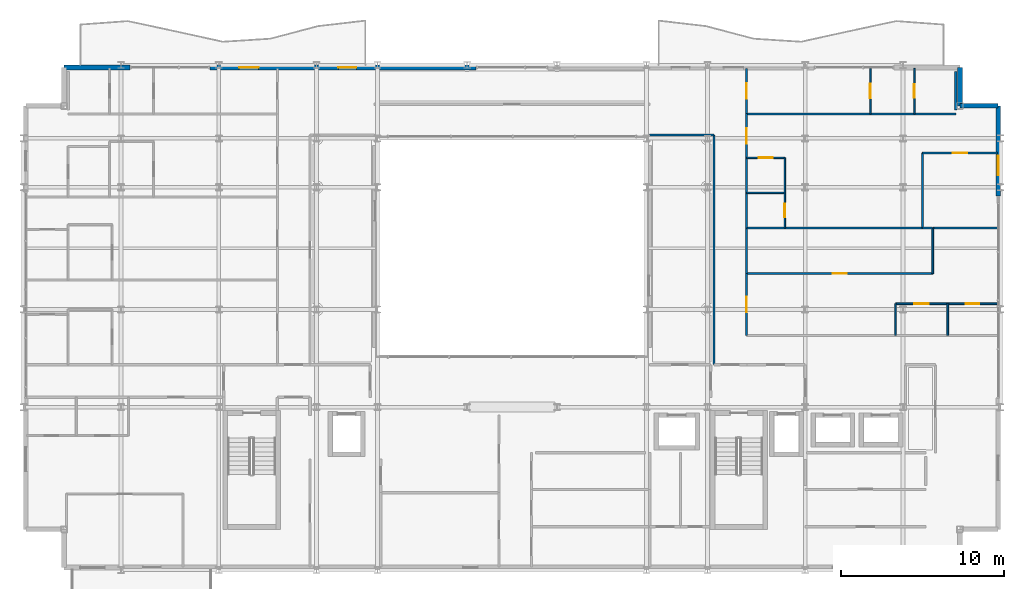
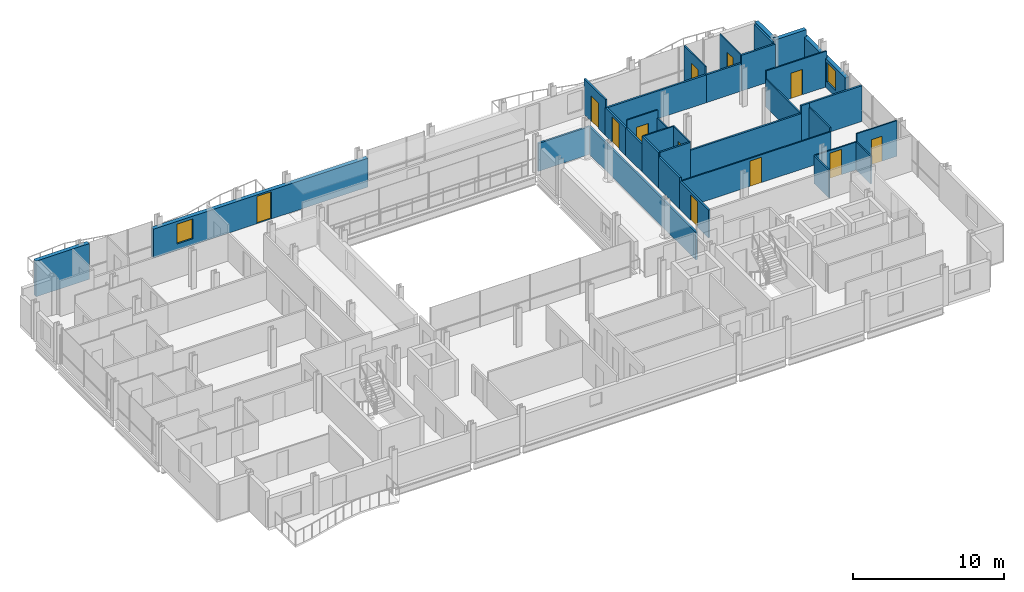
# One storey, part 37 of 41: 35 walls, 12 doors, 2 windows, 14 openings.
"""IFC4 building model written with IfcOpenShell, lengths in metres."""

from ifc_helpers import new_model, si_unit, direction, frame, frame_2d, origin, place, context, subcontext, project, spatial, rectangle, extrude, material, layer, layer_set, type_object, element, fill, save


model = new_model("IFC4")

# Units and contexts
model_context = context("Model", 3, precision=1e-05, world=origin(), true_north=direction((0.0, 1.0)))
body_context = subcontext(model_context, "Body", "Model", "MODEL_VIEW")
ifc_project = project(units=[si_unit("LENGTHUNIT", "METRE"), si_unit("AREAUNIT", "SQUARE_METRE"), si_unit("VOLUMEUNIT", "CUBIC_METRE"), si_unit("PLANEANGLEUNIT", "RADIAN"), si_unit("MASSUNIT", "GRAM", prefix="KILO")], contexts=[model_context])

# Site, building, storey
site_placement = place(None, origin())
site = spatial("IfcSite", under=ifc_project, at=site_placement, CompositionType="ELEMENT")
building_placement = place(site_placement, origin())
building = spatial("IfcBuilding", under=site, at=building_placement, Name="Brevholm Reach", CompositionType="ELEMENT")
storey_placement = place(building_placement, frame((0.0, 0.0, 151.10009765625)))
storey = spatial("IfcBuildingStorey", under=building, at=storey_placement, Name="L45", CompositionType="ELEMENT", Elevation=151.10009765625)

# Walls
ifc_material_1 = material(Name="Concrete C40/50", Category="concrete")
ifc_layer_1 = layer(ifc_material_1, 0.300048828125)
ifc_layer_set_1 = layer_set([ifc_layer_1], Name="Concrete C40/50")
wall_type_1 = type_object("IfcWallType", Name="WAL-EXT-300", PredefinedType="STANDARD", material=ifc_layer_set_1)
for number, where, z_axis, x_axis, name in (
    (1, (59.85009765625, 28.5, 0.0), (0.0, 0.0, 1.0), (-1.0, 0.0, 0.0), "L45 Facade Wall WAL-L45-CNE1"),
    (2, (57.5, 28.5, 0.0), (0.0, 0.0, 1.0), (0.0, 1.0, 0.0), "L45 Facade Wall WAL-L45-CNE2"),
):
    element("IfcWall", number, at=place(storey_placement, frame(where, z_axis=z_axis, x_axis=x_axis)), inside=storey, type_object=wall_type_1, Name=name, PredefinedType="STANDARD", context=body_context, shape_type="SweptSolid", body=[
        extrude(rectangle(XDim=2.35009765625, YDim=0.300048828125, at=frame_2d((1.175048828125, 0.0))), origin(), (0.0, 0.0, 1.0), 2.8798828125),
    ])

# Wall, opening, window
wall_1_placement = place(storey_placement, frame((59.85009765625, 22.949951171875, 0.0), z_axis=(0.0, 0.0, 1.0), x_axis=(0.0, 1.0, 0.0)))
wall_1 = element("IfcWall", 3, at=wall_1_placement, inside=storey, type_object=wall_type_1, Name="L45 Facade Wall WAL-L45-E-N", PredefinedType="STANDARD", context=body_context, shape_type="SweptSolid", body=[
    extrude(rectangle(XDim=5.550048828125, YDim=0.300048828125, at=frame_2d((2.77490234375, 0.0))), origin(), (0.0, 0.0, 1.0), 2.32177734375),
])
opening_1_placement = place(wall_1_placement, frame((1.27001953125, 0.0, 0.501953125)))
opening_1 = element("IfcOpeningElement", 4, at=opening_1_placement, cuts=wall_1, Name="Opening WN-08", PredefinedType="OPENING", context=body_context, shape_type="SweptSolid", body=[
    extrude(rectangle(XDim=1.199951171875, YDim=1.60009765625, at=frame_2d((0.60009765625, 0.800048828125))), frame((0.0, 0.159912109375, 0.0), z_axis=(0.0, -1.0, 0.0), x_axis=(1.0, 0.0, 0.0)), (0.0, 0.0, 1.0), 0.320068359375),
])
ifc_material_2 = material(Name="Dark Anodised Aluminium and Solar-Control IGU Glass", Category="aluminium")
window_type = type_object("IfcWindowType", Name="WIN-RES-1200", PartitioningType="SINGLE_PANEL", PredefinedType="WINDOW", material=ifc_material_2)
window_1_placement = place(opening_1_placement, origin())
window_1 = element("IfcWindow", 5, at=window_1_placement, inside=storey, type_object=window_type, Name="L45 Window WIN-L45-EN-1", OverallHeight=1.60009765625, OverallWidth=1.199951171875, PartitioningType="SINGLE_PANEL", PredefinedType="WINDOW", context=body_context, shape_type="SweptSolid", body=[
    extrude(rectangle(XDim=1.199951171875, YDim=1.60009765625, at=frame_2d((0.60009765625, 0.800048828125))), frame((0.0, 0.030029296875, 0.0), z_axis=(0.0, -1.0, 0.0), x_axis=(1.0, 0.0, 0.0)), (0.0, 0.0, 1.0), 0.06005859375),
])
fill(opening_1, window_1)

# Wall
wall_2_placement = place(storey_placement, frame((2.5, 30.85009765625, 0.0), z_axis=(0.0, 0.0, 1.0), x_axis=(1.0, 0.0, 0.0)))
element("IfcWall", 6, at=wall_2_placement, inside=storey, type_object=wall_type_1, Name="L45 Facade Wall WAL-L45-NP-W0", PredefinedType="STANDARD", context=body_context, shape_type="SweptSolid", body=[
    extrude(rectangle(XDim=4.050048828125, YDim=0.300048828125, at=frame_2d((2.02490234375, 0.0))), origin(), (0.0, 0.0, 1.0), 2.8798828125),
])

# Wall, openings, door, window
wall_3_placement = place(storey_placement, frame((11.449951171875, 30.85009765625, 0.0), z_axis=(0.0, 0.0, 1.0), x_axis=(1.0, 0.0, 0.0)))
wall_3 = element("IfcWall", 7, at=wall_3_placement, inside=storey, type_object=wall_type_1, Name="L45 Facade Wall WAL-L45-NP-WL", PredefinedType="STANDARD", context=body_context, shape_type="SweptSolid", body=[
    extrude(rectangle(XDim=16.35009765625, YDim=0.300048828125, at=frame_2d((8.175048828125, 0.0))), origin(), (0.0, 0.0, 1.0), 2.32177734375),
])
opening_2_placement = place(wall_3_placement, frame((7.89794921875, 0.0, 0.0)))
opening_2 = element("IfcOpeningElement", 8, at=opening_2_placement, cuts=wall_3, Name="Opening BD-01", PredefinedType="OPENING", context=body_context, shape_type="SweptSolid", body=[
    extrude(rectangle(XDim=1.10009765625, YDim=2.199951171875, at=frame_2d((0.550048828125, 1.10009765625))), frame((0.0, 0.159912109375, 0.0), z_axis=(0.0, -1.0, 0.0), x_axis=(1.0, 0.0, 0.0)), (0.0, 0.0, 1.0), 0.320068359375),
])
opening_3_placement = place(wall_3_placement, frame((1.800048828125, 0.0, 0.501953125)))
opening_3 = element("IfcOpeningElement", 9, at=opening_3_placement, cuts=wall_3, Name="Opening WN-08", PredefinedType="OPENING", context=body_context, shape_type="SweptSolid", body=[
    extrude(rectangle(XDim=1.199951171875, YDim=1.60009765625, at=frame_2d((0.60009765625, 0.800048828125))), frame((0.0, 0.159912109375, 0.0), z_axis=(0.0, -1.0, 0.0), x_axis=(1.0, 0.0, 0.0)), (0.0, 0.0, 1.0), 0.320068359375),
])
ifc_material_3 = material(Name="Dark Anodised Aluminium and Triple-Glazed Glass", Category="aluminium")
door_type_1 = type_object("IfcDoorType", Name="DOR-BALC-1100", OperationType="NOTDEFINED", PredefinedType="DOOR", material=ifc_material_3)
door_1_placement = place(opening_2_placement, origin())
door_1 = element("IfcDoor", 10, at=door_1_placement, inside=storey, type_object=door_type_1, Name="L45 Exterior Door DOR-L45-BL-NW", OperationType="SINGLE_SWING_RIGHT", OverallHeight=2.199951171875, OverallWidth=1.10009765625, PredefinedType="DOOR", context=body_context, shape_type="SweptSolid", body=[
    extrude(rectangle(XDim=1.10009765625, YDim=2.199951171875, at=frame_2d((0.550048828125, 1.10009765625))), frame((0.0, 0.02490234375, 0.0), z_axis=(0.0, -1.0, 0.0), x_axis=(1.0, 0.0, 0.0)), (0.0, 0.0, 1.0), 0.050048828125),
])
fill(opening_2, door_1)
window_2_placement = place(opening_3_placement, origin())
window_2 = element("IfcWindow", 11, at=window_2_placement, inside=storey, type_object=window_type, Name="L45 Window WIN-L45-NP-WL1", OverallHeight=1.60009765625, OverallWidth=1.199951171875, PartitioningType="SINGLE_PANEL", PredefinedType="WINDOW", context=body_context, shape_type="SweptSolid", body=[
    extrude(rectangle(XDim=1.199951171875, YDim=1.60009765625, at=frame_2d((0.60009765625, 0.800048828125))), frame((0.0, 0.030029296875, 0.0), z_axis=(0.0, -1.0, 0.0), x_axis=(1.0, 0.0, 0.0)), (0.0, 0.0, 1.0), 0.06005859375),
])
fill(opening_3, window_2)

# Wall
ifc_material_4 = material(Name="Moisture-Resistant Acoustic Gypsum Stud Partition 100 mm", Category="gypsum")
ifc_layer_2 = layer(ifc_material_4, 0.10009765625)
ifc_layer_set_2 = layer_set([ifc_layer_2], Name="Moisture-Resistant Acoustic Gypsum Stud Partition 100 mm")
wall_type_2 = type_object("IfcWallType", Name="WAL-PRT-100", PredefinedType="PARTITIONING", material=ifc_layer_set_2)
wall_4_placement = place(storey_placement, frame((56.75, 14.404052734375, 0.0), z_axis=(0.0, 0.0, 1.0), x_axis=(0.0, 1.0, 0.0)))
element("IfcWall", 12, at=wall_4_placement, inside=storey, type_object=wall_type_2, Name="L45 Internal Partition 095", PredefinedType="PARTITIONING", context=body_context, shape_type="SweptSolid", body=[
    extrude(rectangle(XDim=1.946044921875, YDim=0.10009765625, at=frame_2d((0.97314453125, 0.0))), origin(), (0.0, 0.0, 1.0), 2.24267578125),
])

# Wall, opening, door
wall_5_placement = place(storey_placement, frame((56.75, 16.35009765625, 0.0), z_axis=(0.0, 0.0, 1.0), x_axis=(1.0, 0.0, 0.0)))
wall_5 = element("IfcWall", 13, at=wall_5_placement, inside=storey, type_object=wall_type_2, Name="L45 Internal Partition 096", PredefinedType="PARTITIONING", context=body_context, shape_type="SweptSolid", body=[
    extrude(rectangle(XDim=3.050048828125, YDim=0.10009765625, at=frame_2d((1.52490234375, 0.0))), origin(), (0.0, 0.0, 1.0), 2.8798828125),
])
opening_4_placement = place(wall_5_placement, frame((1.114990234375, 0.0, 0.0)))
opening_4 = element("IfcOpeningElement", 14, at=opening_4_placement, cuts=wall_5, Name="Opening ID-03", PredefinedType="OPENING", context=body_context, shape_type="SweptSolid", body=[
    extrude(rectangle(XDim=0.820068359375, YDim=2.02001953125, at=frame_2d((0.41015625, 1.010009765625))), frame((0.0, 0.06005859375, 0.0), z_axis=(0.0, -1.0, 0.0), x_axis=(1.0, 0.0, 0.0)), (0.0, 0.0, 1.0), 0.1201171875),
])
ifc_material_5 = material(Name="Moisture-Resistant Painted Timber Internal Bathroom Door", Category="wood")
door_type_2 = type_object("IfcDoorType", Name="DOR-BATH-820", OperationType="NOTDEFINED", PredefinedType="DOOR", material=ifc_material_5)
door_2_placement = place(opening_4_placement, origin())
door_2 = element("IfcDoor", 15, at=door_2_placement, inside=storey, type_object=door_type_2, Name="L45 Internal Door 040", OperationType="SINGLE_SWING_RIGHT", OverallHeight=2.02001953125, OverallWidth=0.820068359375, PredefinedType="DOOR", context=body_context, shape_type="SweptSolid", body=[
    extrude(rectangle(XDim=0.820068359375, YDim=2.02001953125, at=frame_2d((0.41015625, 1.010009765625))), frame((0.0, 0.02490234375, 0.0), z_axis=(0.0, -1.0, 0.0), x_axis=(1.0, 0.0, 0.0)), (0.0, 0.0, 1.0), 0.050048828125),
])
fill(opening_4, door_2)

wall_6_placement = place(storey_placement, frame((53.550048828125, 16.35009765625, 0.0), z_axis=(0.0, 0.0, 1.0), x_axis=(1.0, 0.0, 0.0)))
wall_6 = element("IfcWall", 16, at=wall_6_placement, inside=storey, type_object=wall_type_2, Name="L45 Internal Partition 097", PredefinedType="PARTITIONING", context=body_context, shape_type="SweptSolid", body=[
    extrude(rectangle(XDim=3.196044921875, YDim=0.10009765625, at=frame_2d((1.59814453125, 0.0))), origin(), (0.0, 0.0, 1.0), 2.24267578125),
])
opening_5_placement = place(wall_6_placement, frame((1.157958984375, 0.0, 0.0)))
opening_5 = element("IfcOpeningElement", 17, at=opening_5_placement, cuts=wall_6, Name="Opening ID-01", PredefinedType="OPENING", context=body_context, shape_type="SweptSolid", body=[
    extrude(rectangle(XDim=0.8798828125, YDim=2.0400390625, at=frame_2d((0.43994140625, 1.02001953125))), frame((0.0, 0.06005859375, 0.0), z_axis=(0.0, -1.0, 0.0), x_axis=(1.0, 0.0, 0.0)), (0.0, 0.0, 1.0), 0.1201171875),
])
ifc_material_6 = material(Name="Lacquered Ash Solid-Core Acoustic Internal Door", Category="timber")
door_type_3 = type_object("IfcDoorType", Name="DOR-INT-880", OperationType="NOTDEFINED", PredefinedType="DOOR", material=ifc_material_6)
door_3_placement = place(opening_5_placement, origin())
door_3 = element("IfcDoor", 18, at=door_3_placement, inside=storey, type_object=door_type_3, Name="L45 Internal Door 041", OperationType="SINGLE_SWING_LEFT", OverallHeight=2.0400390625, OverallWidth=0.8798828125, PredefinedType="DOOR", context=body_context, shape_type="SweptSolid", body=[
    extrude(rectangle(XDim=0.8798828125, YDim=2.0400390625, at=frame_2d((0.43994140625, 1.02001953125))), frame((0.0, 0.02490234375, 0.0), z_axis=(0.0, -1.0, 0.0), x_axis=(1.0, 0.0, 0.0)), (0.0, 0.0, 1.0), 0.050048828125),
])
fill(opening_5, door_3)

# Wall
wall_7_placement = place(storey_placement, frame((53.550048828125, 14.404052734375, 0.0), z_axis=(0.0, 0.0, 1.0), x_axis=(0.0, 1.0, 0.0)))
element("IfcWall", 19, at=wall_7_placement, inside=storey, type_object=wall_type_2, Name="L45 Internal Partition 098", PredefinedType="PARTITIONING", context=body_context, shape_type="SweptSolid", body=[
    extrude(rectangle(XDim=1.946044921875, YDim=0.10009765625, at=frame_2d((0.97314453125, 0.0))), origin(), (0.0, 0.0, 1.0), 2.24267578125),
])

# Wall, opening, door
wall_8_placement = place(storey_placement, frame((44.404052734375, 18.199951171875, 0.0), z_axis=(0.0, 0.0, 1.0), x_axis=(1.0, 0.0, 0.0)))
wall_8 = element("IfcWall", 20, at=wall_8_placement, inside=storey, type_object=wall_type_2, Name="L45 Internal Partition 099", PredefinedType="PARTITIONING", context=body_context, shape_type="SweptSolid", body=[
    extrude(rectangle(XDim=11.425048828125, YDim=0.10009765625, at=frame_2d((5.71240234375, 0.0))), origin(), (0.0, 0.0, 1.0), 2.24267578125),
])
opening_6_placement = place(wall_8_placement, frame((5.2724609375, 0.0, 0.0)))
opening_6 = element("IfcOpeningElement", 21, at=opening_6_placement, cuts=wall_8, Name="Opening ID-01", PredefinedType="OPENING", context=body_context, shape_type="SweptSolid", body=[
    extrude(rectangle(XDim=0.8798828125, YDim=2.0400390625, at=frame_2d((0.43994140625, 1.02001953125))), frame((0.0, 0.06005859375, 0.0), z_axis=(0.0, -1.0, 0.0), x_axis=(1.0, 0.0, 0.0)), (0.0, 0.0, 1.0), 0.1201171875),
])
door_4_placement = place(opening_6_placement, origin())
door_4 = element("IfcDoor", 22, at=door_4_placement, inside=storey, type_object=door_type_3, Name="L45 Internal Door 042", OperationType="SINGLE_SWING_RIGHT", OverallHeight=2.0400390625, OverallWidth=0.8798828125, PredefinedType="DOOR", context=body_context, shape_type="SweptSolid", body=[
    extrude(rectangle(XDim=0.8798828125, YDim=2.0400390625, at=frame_2d((0.43994140625, 1.02001953125))), frame((0.0, 0.02490234375, 0.0), z_axis=(0.0, -1.0, 0.0), x_axis=(1.0, 0.0, 0.0)), (0.0, 0.0, 1.0), 0.050048828125),
])
fill(opening_6, door_4)

# Walls
wall_9_placement = place(storey_placement, frame((55.8291015625, 18.199951171875, 0.0), z_axis=(0.0, 0.0, 1.0), x_axis=(0.0, 1.0, 0.0)))
element("IfcWall", 23, at=wall_9_placement, inside=storey, type_object=wall_type_2, Name="L45 Internal Partition 100", PredefinedType="PARTITIONING", context=body_context, shape_type="SweptSolid", body=[
    extrude(rectangle(XDim=2.800048828125, YDim=0.10009765625, at=frame_2d((1.39990234375, 0.0))), origin(), (0.0, 0.0, 1.0), 2.551513671875),
])
wall_10_placement = place(storey_placement, frame((44.404052734375, 23.14990234375, 0.0), z_axis=(0.0, 0.0, 1.0), x_axis=(1.0, 0.0, 0.0)))
element("IfcWall", 24, at=wall_10_placement, inside=storey, type_object=wall_type_2, Name="L45 Internal Partition 105", PredefinedType="PARTITIONING", context=body_context, shape_type="SweptSolid", body=[
    extrude(rectangle(XDim=2.345947265625, YDim=0.10009765625, at=frame_2d((1.1728515625, 0.0))), origin(), (0.0, 0.0, 1.0), 2.8798828125),
])

# Wall, opening, door
wall_11_placement = place(storey_placement, frame((46.75, 21.00390625, 0.0), z_axis=(0.0, 0.0, 1.0), x_axis=(0.0, 1.0, 0.0)))
wall_11 = element("IfcWall", 25, at=wall_11_placement, inside=storey, type_object=wall_type_2, Name="L45 Internal Partition 106", PredefinedType="PARTITIONING", context=body_context, shape_type="SweptSolid", body=[
    extrude(rectangle(XDim=2.14599609375, YDim=0.10009765625, at=frame_2d((1.072998046875, 0.0))), origin(), (0.0, 0.0, 1.0), 2.8798828125),
])
opening_7_placement = place(wall_11_placement, frame((0.6630859375, 0.0, 0.0)))
opening_7 = element("IfcOpeningElement", 26, at=opening_7_placement, cuts=wall_11, Name="Opening ID-03", PredefinedType="OPENING", context=body_context, shape_type="SweptSolid", body=[
    extrude(rectangle(XDim=0.820068359375, YDim=2.02001953125, at=frame_2d((0.41015625, 1.010009765625))), frame((0.0, 0.06005859375, 0.0), z_axis=(0.0, -1.0, 0.0), x_axis=(1.0, 0.0, 0.0)), (0.0, 0.0, 1.0), 0.1201171875),
])
door_5_placement = place(opening_7_placement, origin())
door_5 = element("IfcDoor", 27, at=door_5_placement, inside=storey, type_object=door_type_2, Name="L45 Internal Door 043", OperationType="SINGLE_SWING_LEFT", OverallHeight=2.02001953125, OverallWidth=0.820068359375, PredefinedType="DOOR", context=body_context, shape_type="SweptSolid", body=[
    extrude(rectangle(XDim=0.820068359375, YDim=2.02001953125, at=frame_2d((0.41015625, 1.010009765625))), frame((0.0, 0.02490234375, 0.0), z_axis=(0.0, -1.0, 0.0), x_axis=(1.0, 0.0, 0.0)), (0.0, 0.0, 1.0), 0.050048828125),
])
fill(opening_7, door_5)

# Wall
wall_12_placement = place(storey_placement, frame((46.75, 23.154052734375, 0.0), z_axis=(0.0, 0.0, 1.0), x_axis=(0.0, 1.0, 0.0)))
element("IfcWall", 28, at=wall_12_placement, inside=storey, type_object=wall_type_2, Name="L45 Internal Partition 107", PredefinedType="PARTITIONING", context=body_context, shape_type="SweptSolid", body=[
    extrude(rectangle(XDim=2.14599609375, YDim=0.10009765625, at=frame_2d((1.072998046875, 0.0))), origin(), (0.0, 0.0, 1.0), 2.24267578125),
])

# Wall, opening, door
wall_13_placement = place(storey_placement, frame((44.404052734375, 25.300048828125, 0.0), z_axis=(0.0, 0.0, 1.0), x_axis=(1.0, 0.0, 0.0)))
wall_13 = element("IfcWall", 29, at=wall_13_placement, inside=storey, type_object=wall_type_2, Name="L45 Internal Partition 108", PredefinedType="PARTITIONING", context=body_context, shape_type="SweptSolid", body=[
    extrude(rectangle(XDim=2.345947265625, YDim=0.10009765625, at=frame_2d((1.1728515625, 0.0))), origin(), (0.0, 0.0, 1.0), 2.8798828125),
])
opening_8_placement = place(wall_13_placement, frame((0.73291015625, 0.0, 0.0)))
opening_8 = element("IfcOpeningElement", 30, at=opening_8_placement, cuts=wall_13, Name="Opening ID-01", PredefinedType="OPENING", context=body_context, shape_type="SweptSolid", body=[
    extrude(rectangle(XDim=0.8798828125, YDim=2.0400390625, at=frame_2d((0.43994140625, 1.02001953125))), frame((0.0, 0.06005859375, 0.0), z_axis=(0.0, -1.0, 0.0), x_axis=(1.0, 0.0, 0.0)), (0.0, 0.0, 1.0), 0.1201171875),
])
door_6_placement = place(opening_8_placement, origin())
door_6 = element("IfcDoor", 31, at=door_6_placement, inside=storey, type_object=door_type_3, Name="L45 Internal Door 044", OperationType="SINGLE_SWING_RIGHT", OverallHeight=2.0400390625, OverallWidth=0.8798828125, PredefinedType="DOOR", context=body_context, shape_type="SweptSolid", body=[
    extrude(rectangle(XDim=0.8798828125, YDim=2.0400390625, at=frame_2d((0.43994140625, 1.02001953125))), frame((0.0, 0.02490234375, 0.0), z_axis=(0.0, -1.0, 0.0), x_axis=(1.0, 0.0, 0.0)), (0.0, 0.0, 1.0), 0.050048828125),
])
fill(opening_8, door_6)

wall_14_placement = place(storey_placement, frame((55.199951171875, 25.60009765625, 0.0), z_axis=(0.0, 0.0, 1.0), x_axis=(1.0, 0.0, 0.0)))
wall_14 = element("IfcWall", 32, at=wall_14_placement, inside=storey, type_object=wall_type_2, Name="L45 Internal Partition 109", PredefinedType="PARTITIONING", context=body_context, shape_type="SweptSolid", body=[
    extrude(rectangle(XDim=4.60009765625, YDim=0.10009765625, at=frame_2d((2.300048828125, 0.0))), origin(), (0.0, 0.0, 1.0), 2.8798828125),
])
opening_9_placement = place(wall_14_placement, frame((1.860107421875, 0.0, 0.0)))
opening_9 = element("IfcOpeningElement", 33, at=opening_9_placement, cuts=wall_14, Name="Opening ID-01", PredefinedType="OPENING", context=body_context, shape_type="SweptSolid", body=[
    extrude(rectangle(XDim=0.8798828125, YDim=2.0400390625, at=frame_2d((0.43994140625, 1.02001953125))), frame((0.0, 0.06005859375, 0.0), z_axis=(0.0, -1.0, 0.0), x_axis=(1.0, 0.0, 0.0)), (0.0, 0.0, 1.0), 0.1201171875),
])
door_7_placement = place(opening_9_placement, origin())
door_7 = element("IfcDoor", 34, at=door_7_placement, inside=storey, type_object=door_type_3, Name="L45 Internal Door 045", OperationType="SINGLE_SWING_LEFT", OverallHeight=2.0400390625, OverallWidth=0.8798828125, PredefinedType="DOOR", context=body_context, shape_type="SweptSolid", body=[
    extrude(rectangle(XDim=0.8798828125, YDim=2.0400390625, at=frame_2d((0.43994140625, 1.02001953125))), frame((0.0, 0.02490234375, 0.0), z_axis=(0.0, -1.0, 0.0), x_axis=(1.0, 0.0, 0.0)), (0.0, 0.0, 1.0), 0.050048828125),
])
fill(opening_9, door_7)

# Wall
wall_15_placement = place(storey_placement, frame((55.199951171875, 21.00390625, 0.0), z_axis=(0.0, 0.0, 1.0), x_axis=(0.0, 1.0, 0.0)))
element("IfcWall", 35, at=wall_15_placement, inside=storey, type_object=wall_type_2, Name="L45 Internal Partition 110", PredefinedType="PARTITIONING", context=body_context, shape_type="SweptSolid", body=[
    extrude(rectangle(XDim=4.59619140625, YDim=0.10009765625, at=frame_2d((2.298095703125, 0.0))), origin(), (0.0, 0.0, 1.0), 2.24267578125),
])

# Wall, opening, door
wall_16_placement = place(storey_placement, frame((54.699951171875, 28.00390625, 0.0), z_axis=(0.0, 0.0, 1.0), x_axis=(0.0, 1.0, 0.0)))
wall_16 = element("IfcWall", 36, at=wall_16_placement, inside=storey, type_object=wall_type_2, Name="L45 Internal Partition 116", PredefinedType="PARTITIONING", context=body_context, shape_type="SweptSolid", body=[
    extrude(rectangle(XDim=2.796142578125, YDim=0.10009765625, at=frame_2d((1.39794921875, 0.0))), origin(), (0.0, 0.0, 1.0), 2.8798828125),
])
opening_10_placement = place(wall_16_placement, frame((0.988037109375, 0.0, 0.0)))
opening_10 = element("IfcOpeningElement", 37, at=opening_10_placement, cuts=wall_16, Name="Opening ID-03", PredefinedType="OPENING", context=body_context, shape_type="SweptSolid", body=[
    extrude(rectangle(XDim=0.820068359375, YDim=2.02001953125, at=frame_2d((0.41015625, 1.010009765625))), frame((0.0, 0.06005859375, 0.0), z_axis=(0.0, -1.0, 0.0), x_axis=(1.0, 0.0, 0.0)), (0.0, 0.0, 1.0), 0.1201171875),
])
door_8_placement = place(opening_10_placement, origin())
door_8 = element("IfcDoor", 38, at=door_8_placement, inside=storey, type_object=door_type_2, Name="L45 Access Door 050", OperationType="SINGLE_SWING_RIGHT", OverallHeight=2.02001953125, OverallWidth=0.820068359375, PredefinedType="DOOR", context=body_context, shape_type="SweptSolid", body=[
    extrude(rectangle(XDim=0.820068359375, YDim=2.02001953125, at=frame_2d((0.41015625, 1.010009765625))), frame((0.0, 0.02490234375, 0.0), z_axis=(0.0, -1.0, 0.0), x_axis=(1.0, 0.0, 0.0)), (0.0, 0.0, 1.0), 0.050048828125),
])
fill(opening_10, door_8)

wall_17_placement = place(storey_placement, frame((52.0, 28.00390625, 0.0), z_axis=(0.0, 0.0, 1.0), x_axis=(0.0, 1.0, 0.0)))
wall_17 = element("IfcWall", 39, at=wall_17_placement, inside=storey, type_object=wall_type_2, Name="L45 Internal Partition 117", PredefinedType="PARTITIONING", context=body_context, shape_type="SweptSolid", body=[
    extrude(rectangle(XDim=2.796142578125, YDim=0.10009765625, at=frame_2d((1.39794921875, 0.0))), origin(), (0.0, 0.0, 1.0), 2.8798828125),
])
opening_11_placement = place(wall_17_placement, frame((0.9580078125, 0.0, 0.0)))
opening_11 = element("IfcOpeningElement", 40, at=opening_11_placement, cuts=wall_17, Name="Opening ID-01", PredefinedType="OPENING", context=body_context, shape_type="SweptSolid", body=[
    extrude(rectangle(XDim=0.8798828125, YDim=2.0400390625, at=frame_2d((0.43994140625, 1.02001953125))), frame((0.0, 0.06005859375, 0.0), z_axis=(0.0, -1.0, 0.0), x_axis=(1.0, 0.0, 0.0)), (0.0, 0.0, 1.0), 0.1201171875),
])
door_9_placement = place(opening_11_placement, origin())
door_9 = element("IfcDoor", 41, at=door_9_placement, inside=storey, type_object=door_type_3, Name="L45 Internal Door 047", OperationType="SINGLE_SWING_LEFT", OverallHeight=2.0400390625, OverallWidth=0.8798828125, PredefinedType="DOOR", context=body_context, shape_type="SweptSolid", body=[
    extrude(rectangle(XDim=0.8798828125, YDim=2.0400390625, at=frame_2d((0.43994140625, 1.02001953125))), frame((0.0, 0.02490234375, 0.0), z_axis=(0.0, -1.0, 0.0), x_axis=(1.0, 0.0, 0.0)), (0.0, 0.0, 1.0), 0.050048828125),
])
fill(opening_11, door_9)

# Wall
ifc_material_7 = material(Name="Twin-Stud Acoustic Fire-Rated Gypsum Partition 140 mm", Category="gypsum")
ifc_layer_3 = layer(ifc_material_7, 0.139892578125)
ifc_layer_set_3 = layer_set([ifc_layer_3], Name="Twin-Stud Acoustic Fire-Rated Gypsum Partition 140 mm")
wall_type_3 = type_object("IfcWallType", Name="WAL-PRT-140", PredefinedType="PARTITIONING", material=ifc_layer_set_3)
wall_18_placement = place(storey_placement, frame((44.39990234375, 18.188720703125, 0.0), z_axis=(0.0, 0.0, 1.0), x_axis=(0.0, 1.0, 0.0)))
element("IfcWall", 42, at=wall_18_placement, inside=storey, type_object=wall_type_3, Name="L45 Internal Partition 043", PredefinedType="PARTITIONING", context=body_context, shape_type="SweptSolid", body=[
    extrude(rectangle(XDim=2.822509765625, YDim=0.139892578125, at=frame_2d((1.4111328125, 0.0))), origin(), (0.0, 0.0, 1.0), 2.551513671875),
])

# Wall, opening, door
wall_19_placement = place(storey_placement, frame((44.39990234375, 14.392578125, 0.0), z_axis=(0.0, 0.0, 1.0), x_axis=(0.0, 1.0, 0.0)))
wall_19 = element("IfcWall", 43, at=wall_19_placement, inside=storey, type_object=wall_type_3, Name="L45 Internal Partition 044", PredefinedType="PARTITIONING", context=body_context, shape_type="SweptSolid", body=[
    extrude(rectangle(XDim=3.814697265625, YDim=0.139892578125, at=frame_2d((1.9072265625, 0.0))), origin(), (0.0, 0.0, 1.0), 2.24267578125),
])
opening_12_placement = place(wall_19_placement, frame((1.432373046875, 0.0, 0.0)))
opening_12 = element("IfcOpeningElement", 44, at=opening_12_placement, cuts=wall_19, Name="Opening ID-30", PredefinedType="OPENING", context=body_context, shape_type="SweptSolid", body=[
    extrude(rectangle(XDim=0.949951171875, YDim=2.050048828125, at=frame_2d((0.47509765625, 1.02490234375))), frame((0.0, 0.079833984375, 0.0), z_axis=(0.0, -1.0, 0.0), x_axis=(1.0, 0.0, 0.0)), (0.0, 0.0, 1.0), 0.159912109375),
])
ifc_material_8 = material(Name="European Oak Veneered Solid-Core Fire Entrance Door", Category="timber")
door_type_4 = type_object("IfcDoorType", Name="DOR-FLT-FD30S", OperationType="NOTDEFINED", PredefinedType="DOOR", material=ifc_material_8)
door_10_placement = place(opening_12_placement, origin())
door_10 = element("IfcDoor", 45, at=door_10_placement, inside=storey, type_object=door_type_4, Name="L45 Internal Door 026", OperationType="SINGLE_SWING_RIGHT", OverallHeight=2.050048828125, OverallWidth=0.949951171875, PredefinedType="DOOR", context=body_context, shape_type="SweptSolid", body=[
    extrude(rectangle(XDim=0.949951171875, YDim=2.050048828125, at=frame_2d((0.47509765625, 1.02490234375))), frame((0.0, 0.02490234375, 0.0), z_axis=(0.0, -1.0, 0.0), x_axis=(1.0, 0.0, 0.0)), (0.0, 0.0, 1.0), 0.050048828125),
])
fill(opening_12, door_10)

# Walls
wall_20_placement = place(storey_placement, frame((44.39990234375, 20.99267578125, 0.0), z_axis=(0.0, 0.0, 1.0), x_axis=(0.0, 1.0, 0.0)))
element("IfcWall", 46, at=wall_20_placement, inside=storey, type_object=wall_type_3, Name="L45 Internal Partition 045", PredefinedType="PARTITIONING", context=body_context, shape_type="SweptSolid", body=[
    extrude(rectangle(XDim=2.168701171875, YDim=0.139892578125, at=frame_2d((1.08447265625, 0.0))), origin(), (0.0, 0.0, 1.0), 2.8798828125),
])
wall_21_placement = place(storey_placement, frame((44.39990234375, 23.142578125, 0.0), z_axis=(0.0, 0.0, 1.0), x_axis=(0.0, 1.0, 0.0)))
element("IfcWall", 47, at=wall_21_placement, inside=storey, type_object=wall_type_3, Name="L45 Internal Partition 046", PredefinedType="PARTITIONING", context=body_context, shape_type="SweptSolid", body=[
    extrude(rectangle(XDim=2.168701171875, YDim=0.139892578125, at=frame_2d((1.08447265625, 0.0))), origin(), (0.0, 0.0, 1.0), 2.24267578125),
])

# Wall, opening, door
wall_22_placement = place(storey_placement, frame((44.39990234375, 25.292724609375, 0.0), z_axis=(0.0, 0.0, 1.0), x_axis=(0.0, 1.0, 0.0)))
wall_22 = element("IfcWall", 48, at=wall_22_placement, inside=storey, type_object=wall_type_3, Name="L45 Internal Partition 047", PredefinedType="PARTITIONING", context=body_context, shape_type="SweptSolid", body=[
    extrude(rectangle(XDim=2.718505859375, YDim=0.139892578125, at=frame_2d((1.359375, 0.0))), origin(), (0.0, 0.0, 1.0), 2.24267578125),
])
opening_13_placement = place(wall_22_placement, frame((0.88427734375, 0.0, 0.0)))
opening_13 = element("IfcOpeningElement", 49, at=opening_13_placement, cuts=wall_22, Name="Opening ID-30", PredefinedType="OPENING", context=body_context, shape_type="SweptSolid", body=[
    extrude(rectangle(XDim=0.949951171875, YDim=2.050048828125, at=frame_2d((0.47509765625, 1.02490234375))), frame((0.0, 0.079833984375, 0.0), z_axis=(0.0, -1.0, 0.0), x_axis=(1.0, 0.0, 0.0)), (0.0, 0.0, 1.0), 0.159912109375),
])
door_11_placement = place(opening_13_placement, origin())
door_11 = element("IfcDoor", 50, at=door_11_placement, inside=storey, type_object=door_type_4, Name="L45 Internal Door 027", OperationType="SINGLE_SWING_LEFT", OverallHeight=2.050048828125, OverallWidth=0.949951171875, PredefinedType="DOOR", context=body_context, shape_type="SweptSolid", body=[
    extrude(rectangle(XDim=0.949951171875, YDim=2.050048828125, at=frame_2d((0.47509765625, 1.02490234375))), frame((0.0, 0.02490234375, 0.0), z_axis=(0.0, -1.0, 0.0), x_axis=(1.0, 0.0, 0.0)), (0.0, 0.0, 1.0), 0.050048828125),
])
fill(opening_13, door_11)

# Wall
wall_23_placement = place(storey_placement, frame((42.39990234375, 12.60400390625, 0.0), z_axis=(0.0, 0.0, 1.0), x_axis=(0.0, 1.0, 0.0)))
element("IfcWall", 51, at=wall_23_placement, inside=storey, type_object=wall_type_3, Name="L45 Internal Partition 048", PredefinedType="PARTITIONING", context=body_context, shape_type="SweptSolid", body=[
    extrude(rectangle(XDim=14.103271484375, YDim=0.139892578125, at=frame_2d((7.0517578125, 0.0))), origin(), (0.0, 0.0, 1.0), 2.24267578125),
])

# Wall, opening, door
wall_24_placement = place(storey_placement, frame((44.39990234375, 27.99267578125, 0.0), z_axis=(0.0, 0.0, 1.0), x_axis=(0.0, 1.0, 0.0)))
wall_24 = element("IfcWall", 52, at=wall_24_placement, inside=storey, type_object=wall_type_3, Name="L45 Internal Partition 049", PredefinedType="PARTITIONING", context=body_context, shape_type="SweptSolid", body=[
    extrude(rectangle(XDim=2.807373046875, YDim=0.139892578125, at=frame_2d((1.40380859375, 0.0))), origin(), (0.0, 0.0, 1.0), 2.8798828125),
])
opening_14_placement = place(wall_24_placement, frame((0.9287109375, 0.0, 0.0)))
opening_14 = element("IfcOpeningElement", 53, at=opening_14_placement, cuts=wall_24, Name="Opening ID-30", PredefinedType="OPENING", context=body_context, shape_type="SweptSolid", body=[
    extrude(rectangle(XDim=0.949951171875, YDim=2.050048828125, at=frame_2d((0.47509765625, 1.02490234375))), frame((0.0, 0.079833984375, 0.0), z_axis=(0.0, -1.0, 0.0), x_axis=(1.0, 0.0, 0.0)), (0.0, 0.0, 1.0), 0.159912109375),
])
door_12_placement = place(opening_14_placement, origin())
door_12 = element("IfcDoor", 54, at=door_12_placement, inside=storey, type_object=door_type_4, Name="L45 Internal Door 028", OperationType="SINGLE_SWING_RIGHT", OverallHeight=2.050048828125, OverallWidth=0.949951171875, PredefinedType="DOOR", context=body_context, shape_type="SweptSolid", body=[
    extrude(rectangle(XDim=0.949951171875, YDim=2.050048828125, at=frame_2d((0.47509765625, 1.02490234375))), frame((0.0, 0.02490234375, 0.0), z_axis=(0.0, -1.0, 0.0), x_axis=(1.0, 0.0, 0.0)), (0.0, 0.0, 1.0), 0.050048828125),
])
fill(opening_14, door_12)

# Walls
wall_25_placement = place(storey_placement, frame((38.438720703125, 26.699951171875, 0.0), z_axis=(0.0, 0.0, 1.0), x_axis=(1.0, 0.0, 0.0)))
element("IfcWall", 55, at=wall_25_placement, inside=storey, type_object=wall_type_3, Name="L45 Internal Partition 054", PredefinedType="PARTITIONING", context=body_context, shape_type="SweptSolid", body=[
    extrude(rectangle(XDim=3.957275390625, YDim=0.139892578125, at=frame_2d((1.978515625, 0.0))), origin(), (0.0, 0.0, 1.0), 2.24267578125),
])
wall_26_placement = place(storey_placement, frame((44.404052734375, 21.0, 0.0), z_axis=(0.0, 0.0, 1.0), x_axis=(1.0, 0.0, 0.0)))
element("IfcWall", 56, at=wall_26_placement, inside=storey, type_object=wall_type_3, Name="L45 Internal Partition 101", PredefinedType="PARTITIONING", context=body_context, shape_type="SweptSolid", body=[
    extrude(rectangle(XDim=2.357177734375, YDim=0.139892578125, at=frame_2d((1.1787109375, 0.0))), origin(), (0.0, 0.0, 1.0), 2.8798828125),
])
wall_27_placement = place(storey_placement, frame((55.188720703125, 21.0, 0.0), z_axis=(0.0, 0.0, 1.0), x_axis=(1.0, 0.0, 0.0)))
element("IfcWall", 57, at=wall_27_placement, inside=storey, type_object=wall_type_3, Name="L45 Internal Partition 102", PredefinedType="PARTITIONING", context=body_context, shape_type="SweptSolid", body=[
    extrude(rectangle(XDim=0.640380859375, YDim=0.139892578125, at=frame_2d((0.3203125, 0.0))), origin(), (0.0, 0.0, 1.0), 2.8798828125),
])
wall_28_placement = place(storey_placement, frame((46.74267578125, 21.0, 0.0), z_axis=(0.0, 0.0, 1.0), x_axis=(1.0, 0.0, 0.0)))
element("IfcWall", 58, at=wall_28_placement, inside=storey, type_object=wall_type_3, Name="L45 Internal Partition 103", PredefinedType="PARTITIONING", context=body_context, shape_type="SweptSolid", body=[
    extrude(rectangle(XDim=8.464599609375, YDim=0.139892578125, at=frame_2d((4.232421875, 0.0))), origin(), (0.0, 0.0, 1.0), 2.24267578125),
])
wall_29_placement = place(storey_placement, frame((55.8330078125, 21.0, 0.0), z_axis=(0.0, 0.0, 1.0), x_axis=(1.0, 0.0, 0.0)))
element("IfcWall", 59, at=wall_29_placement, inside=storey, type_object=wall_type_3, Name="L45 Internal Partition 104", PredefinedType="PARTITIONING", context=body_context, shape_type="SweptSolid", body=[
    extrude(rectangle(XDim=3.967041015625, YDim=0.139892578125, at=frame_2d((1.9833984375, 0.0))), origin(), (0.0, 0.0, 1.0), 2.8798828125),
])
wall_30_placement = place(storey_placement, frame((54.688720703125, 28.0, 0.0), z_axis=(0.0, 0.0, 1.0), x_axis=(1.0, 0.0, 0.0)))
element("IfcWall", 60, at=wall_30_placement, inside=storey, type_object=wall_type_3, Name="L45 Internal Partition 111", PredefinedType="PARTITIONING", context=body_context, shape_type="SweptSolid", body=[
    extrude(rectangle(XDim=2.572509765625, YDim=0.139892578125, at=frame_2d((1.2861328125, 0.0))), origin(), (0.0, 0.0, 1.0), 2.8798828125),
])
wall_31_placement = place(storey_placement, frame((51.98876953125, 28.0, 0.0), z_axis=(0.0, 0.0, 1.0), x_axis=(1.0, 0.0, 0.0)))
element("IfcWall", 61, at=wall_31_placement, inside=storey, type_object=wall_type_3, Name="L45 Internal Partition 112", PredefinedType="PARTITIONING", context=body_context, shape_type="SweptSolid", body=[
    extrude(rectangle(XDim=2.718505859375, YDim=0.139892578125, at=frame_2d((1.359375, 0.0))), origin(), (0.0, 0.0, 1.0), 2.24267578125),
])
wall_32_placement = place(storey_placement, frame((44.404052734375, 28.0, 0.0), z_axis=(0.0, 0.0, 1.0), x_axis=(1.0, 0.0, 0.0)))
element("IfcWall", 62, at=wall_32_placement, inside=storey, type_object=wall_type_3, Name="L45 Internal Partition 113", PredefinedType="PARTITIONING", context=body_context, shape_type="SweptSolid", body=[
    extrude(rectangle(XDim=7.603271484375, YDim=0.139892578125, at=frame_2d((3.8017578125, 0.0))), origin(), (0.0, 0.0, 1.0), 2.24267578125),
])
wall_33_placement = place(storey_placement, frame((57.25, 28.239990234375, 0.0), z_axis=(0.0, 0.0, 1.0), x_axis=(0.0, 1.0, 0.0)))
element("IfcWall", 63, at=wall_33_placement, inside=storey, type_object=wall_type_3, Name="L45 Internal Partition 123", PredefinedType="PARTITIONING", context=body_context, shape_type="SweptSolid", body=[
    extrude(rectangle(XDim=2.3701171875, YDim=0.139892578125, at=frame_2d((1.18505859375, 0.0))), origin(), (0.0, 0.0, 1.0), 2.8798828125),
])

save(model, "model.ifc")
